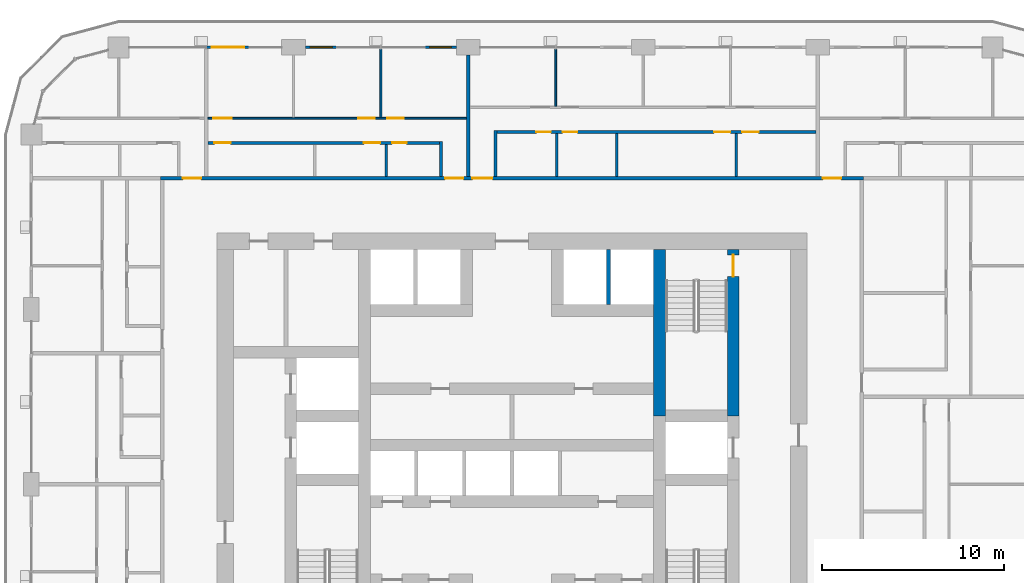
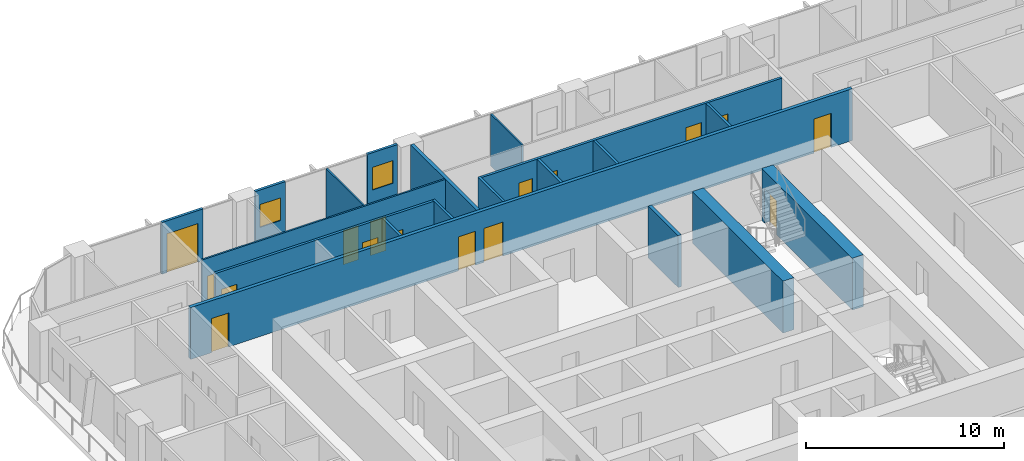
# One storey, part 14 of 22: 19 walls, 16 doors, 2 windows, 18 openings.
"""IFC4 building model written with IfcOpenShell, lengths in metres."""

from ifc_helpers import new_model, si_unit, direction, frame, frame_2d, origin, place, context, subcontext, project, spatial, rectangle, extrude, material, layer, layer_set, type_object, element, fill, save


model = new_model("IFC4")

# Units and contexts
model_context = context("Model", 3, precision=1e-05, world=origin(), true_north=direction((0.0, 1.0)))
body_context = subcontext(model_context, "Body", "Model", "MODEL_VIEW")
ifc_project = project(units=[si_unit("LENGTHUNIT", "METRE"), si_unit("AREAUNIT", "SQUARE_METRE"), si_unit("VOLUMEUNIT", "CUBIC_METRE"), si_unit("PLANEANGLEUNIT", "RADIAN"), si_unit("MASSUNIT", "GRAM", prefix="KILO")], contexts=[model_context])

# Site, building, storey
site_placement = place(None, origin())
site = spatial("IfcSite", under=ifc_project, at=site_placement, CompositionType="ELEMENT")
building_placement = place(site_placement, origin())
building = spatial("IfcBuilding", under=site, at=building_placement, Name="Madar Terraces", CompositionType="ELEMENT")
storey_placement = place(building_placement, frame((0.0, 0.0, 62.800048828125)))
storey = spatial("IfcBuildingStorey", under=building, at=storey_placement, Name="L15", CompositionType="ELEMENT", Elevation=62.800048828125)

# Wall
ifc_material_1 = material(Name="Concrete C80/95", Category="concrete")
ifc_layer_1 = layer(ifc_material_1, 0.64990234375)
ifc_layer_set_1 = layer_set([ifc_layer_1], Name="Concrete C80/95 (CIW2 RC wall 650)")
wall_type_1 = type_object("IfcWallType", Name="CIW2 RC wall 650", PredefinedType="SHEAR", material=ifc_layer_set_1)
wall_1_placement = place(storey_placement, frame((39.300048828125, 27.75, 0.0), z_axis=(0.0, 0.0, 1.0), x_axis=(0.0, 1.0, 0.0)))
element("IfcWall", 1, at=wall_1_placement, inside=storey, type_object=wall_type_1, Name="CORE SHAFT WALL", PredefinedType="SHEAR", context=body_context, shape_type="SweptSolid", body=[
    extrude(rectangle(XDim=9.14990234375, YDim=0.64990234375, at=frame_2d((4.574951171875, 0.0))), origin(), (0.0, 0.0, 1.0), 3.199951171875),
])

# Wall, opening, door
wall_2_placement = place(storey_placement, frame((43.35009765625, 27.75, 0.0), z_axis=(0.0, 0.0, 1.0), x_axis=(0.0, 1.0, 0.0)))
wall_2 = element("IfcWall", 2, at=wall_2_placement, inside=storey, type_object=wall_type_1, Name="CORE SHAFT WALL", PredefinedType="SHEAR", context=body_context, shape_type="SweptSolid", body=[
    extrude(rectangle(XDim=9.14990234375, YDim=0.64990234375, at=frame_2d((4.574951171875, 0.0))), origin(), (0.0, 0.0, 1.0), 3.199951171875),
])
opening_1_placement = place(wall_2_placement, frame((7.64990234375, 0.0, 0.0)))
opening_1 = element("IfcOpeningElement", 3, at=opening_1_placement, cuts=wall_2, Name="Opening SD1", PredefinedType="OPENING", context=body_context, shape_type="SweptSolid", body=[
    extrude(rectangle(XDim=1.199951171875, YDim=2.10009765625, at=frame_2d((0.60009765625, 1.050048828125))), frame((0.0, 0.3349609375, 0.0), z_axis=(0.0, -1.0, 0.0), x_axis=(1.0, 0.0, 0.0)), (0.0, 0.0, 1.0), 0.669921875),
])
ifc_material_2 = material(Name="Steel door leaf", Category="steel")
door_type_1 = type_object("IfcDoorType", Name="Stair door 1200 x 2100", OperationType="NOTDEFINED", PredefinedType="DOOR", material=ifc_material_2)
door_1_placement = place(opening_1_placement, origin())
door_1 = element("IfcDoor", 4, at=door_1_placement, inside=storey, type_object=door_type_1, Name="STAIR DOOR", OperationType="SINGLE_SWING_LEFT", OverallHeight=2.10009765625, OverallWidth=1.199951171875, PredefinedType="DOOR", context=body_context, shape_type="SweptSolid", body=[
    extrude(rectangle(XDim=1.199951171875, YDim=2.10009765625, at=frame_2d((0.60009765625, 1.050048828125))), frame((0.0, 0.02490234375, 0.0), z_axis=(0.0, -1.0, 0.0), x_axis=(1.0, 0.0, 0.0)), (0.0, 0.0, 1.0), 0.050048828125),
])
fill(opening_1, door_1)

# Wall
ifc_material_3 = material(Name="Concrete C40/50", Category="concrete")
ifc_layer_2 = layer(ifc_material_3, 0.199951171875)
ifc_layer_set_2 = layer_set([ifc_layer_2], Name="Core shaft dividing wall 200 C40/50")
wall_type_2 = type_object("IfcWallType", Name="Core shaft dividing wall 200 C40/50", PredefinedType="SOLIDWALL", material=ifc_layer_set_2)
wall_3_placement = place(storey_placement, frame((36.5, 33.875, 0.0), z_axis=(0.0, 0.0, 1.0), x_axis=(0.0, 1.0, 0.0)))
element("IfcWall", 5, at=wall_3_placement, inside=storey, type_object=wall_type_2, Name="SHAFT DIVIDING WALL", PredefinedType="SOLIDWALL", context=body_context, shape_type="SweptSolid", body=[
    extrude(rectangle(XDim=3.02490234375, YDim=0.199951171875, at=frame_2d((1.512451171875, 0.0))), origin(), (0.0, 0.0, 1.0), 3.199951171875),
])

# Wall, opening, window
ifc_material_4 = material(Name="Aluminium composite panel, black, over insulated backing", Category="aluminium")
ifc_layer_3 = layer(ifc_material_4, 0.14990234375)
ifc_layer_set_3 = layer_set([ifc_layer_3], Name="Facade bay panel 150")
wall_type_3 = type_object("IfcWallType", Name="Facade bay panel 150", PredefinedType="SOLIDWALL", material=ifc_layer_set_3)
wall_4_placement = place(storey_placement, frame((28.14990234375, 48.0, 0.0), z_axis=(0.0, 0.0, 1.0), x_axis=(-1.0, 0.0, 0.0)))
wall_4 = element("IfcWall", 6, at=wall_4_placement, inside=storey, type_object=wall_type_3, Name="Facade bay panel", PredefinedType="SOLIDWALL", context=body_context, shape_type="SweptSolid", body=[
    extrude(rectangle(XDim=1.75, YDim=0.14990234375, at=frame_2d((0.875, 0.0))), origin(), (0.0, 0.0, 1.0), 3.199951171875),
])
opening_2_placement = place(wall_4_placement, frame((0.27490234375, 0.0, 0.89990234375)))
opening_2 = element("IfcOpeningElement", 7, at=opening_2_placement, cuts=wall_4, Name="Opening W1", PredefinedType="OPENING", context=body_context, shape_type="SweptSolid", body=[
    extrude(rectangle(XDim=1.199951171875, YDim=1.39990234375, at=frame_2d((0.60009765625, 0.699951171875))), frame((0.0, 0.0849609375, 0.0), z_axis=(0.0, -1.0, 0.0), x_axis=(1.0, 0.0, 0.0)), (0.0, 0.0, 1.0), 0.169921875),
])
ifc_material_5 = material(Name="Glass, clear, with black aluminium frame", Category="aluminium")
window_type = type_object("IfcWindowType", Name="Vent window 1200 x 1400", PartitioningType="SINGLE_PANEL", PredefinedType="WINDOW", material=ifc_material_5)
window_1_placement = place(opening_2_placement, origin())
window_1 = element("IfcWindow", 8, at=window_1_placement, inside=storey, type_object=window_type, Name="Operable vent window", OverallHeight=1.39990234375, OverallWidth=1.199951171875, PartitioningType="SINGLE_PANEL", PredefinedType="WINDOW", context=body_context, shape_type="SweptSolid", body=[
    extrude(rectangle(XDim=1.199951171875, YDim=1.39990234375, at=frame_2d((0.60009765625, 0.699951171875))), frame((0.0, 0.030029296875, 0.0), z_axis=(0.0, -1.0, 0.0), x_axis=(1.0, 0.0, 0.0)), (0.0, 0.0, 1.0), 0.06005859375),
])
fill(opening_2, window_1)

wall_5_placement = place(storey_placement, frame((21.60009765625, 48.0, 0.0), z_axis=(0.0, 0.0, 1.0), x_axis=(-1.0, 0.0, 0.0)))
wall_5 = element("IfcWall", 9, at=wall_5_placement, inside=storey, type_object=wall_type_3, Name="Facade bay panel", PredefinedType="SOLIDWALL", context=body_context, shape_type="SweptSolid", body=[
    extrude(rectangle(XDim=1.75, YDim=0.14990234375, at=frame_2d((0.875, 0.0))), origin(), (0.0, 0.0, 1.0), 3.199951171875),
])
opening_3_placement = place(wall_5_placement, frame((0.27490234375, 0.0, 0.89990234375)))
opening_3 = element("IfcOpeningElement", 10, at=opening_3_placement, cuts=wall_5, Name="Opening W1", PredefinedType="OPENING", context=body_context, shape_type="SweptSolid", body=[
    extrude(rectangle(XDim=1.199951171875, YDim=1.39990234375, at=frame_2d((0.60009765625, 0.699951171875))), frame((0.0, 0.0849609375, 0.0), z_axis=(0.0, -1.0, 0.0), x_axis=(1.0, 0.0, 0.0)), (0.0, 0.0, 1.0), 0.169921875),
])
window_2_placement = place(opening_3_placement, origin())
window_2 = element("IfcWindow", 11, at=window_2_placement, inside=storey, type_object=window_type, Name="Operable vent window", OverallHeight=1.39990234375, OverallWidth=1.199951171875, PartitioningType="SINGLE_PANEL", PredefinedType="WINDOW", context=body_context, shape_type="SweptSolid", body=[
    extrude(rectangle(XDim=1.199951171875, YDim=1.39990234375, at=frame_2d((0.60009765625, 0.699951171875))), frame((0.0, 0.030029296875, 0.0), z_axis=(0.0, -1.0, 0.0), x_axis=(1.0, 0.0, 0.0)), (0.0, 0.0, 1.0), 0.06005859375),
])
fill(opening_3, window_2)

# Wall, opening, door
wall_6_placement = place(storey_placement, frame((16.800048828125, 48.0, 0.0), z_axis=(0.0, 0.0, 1.0), x_axis=(-1.0, 0.0, 0.0)))
wall_6 = element("IfcWall", 12, at=wall_6_placement, inside=storey, type_object=wall_type_3, Name="Facade bay panel", PredefinedType="SOLIDWALL", context=body_context, shape_type="SweptSolid", body=[
    extrude(rectangle(XDim=2.400146484375, YDim=0.14990234375, at=frame_2d((1.2001953125, 0.0))), origin(), (0.0, 0.0, 1.0), 3.199951171875),
])
opening_4_placement = place(wall_6_placement, frame((0.300048828125, 0.0, 0.0)))
opening_4 = element("IfcOpeningElement", 13, at=opening_4_placement, cuts=wall_6, Name="Opening ED1", PredefinedType="OPENING", context=body_context, shape_type="SweptSolid", body=[
    extrude(rectangle(XDim=1.800048828125, YDim=2.39990234375, at=frame_2d((0.89990234375, 1.199951171875))), frame((0.0, 0.0849609375, 0.0), z_axis=(0.0, -1.0, 0.0), x_axis=(1.0, 0.0, 0.0)), (0.0, 0.0, 1.0), 0.169921875),
])
ifc_material_6 = material(Name="Glass, clear, with black aluminium frame", Category="aluminium")
door_type_2 = type_object("IfcDoorType", Name="Balcony and terrace sliding door 1800 x 2400", OperationType="SLIDING_TO_LEFT", PredefinedType="DOOR", material=ifc_material_6)
door_2_placement = place(opening_4_placement, origin())
door_2 = element("IfcDoor", 14, at=door_2_placement, inside=storey, type_object=door_type_2, Name="Balcony door", OperationType="SLIDING_TO_LEFT", OverallHeight=2.39990234375, OverallWidth=1.800048828125, PredefinedType="DOOR", context=body_context, shape_type="SweptSolid", body=[
    extrude(rectangle(XDim=1.800048828125, YDim=2.39990234375, at=frame_2d((0.89990234375, 1.199951171875))), frame((0.0, 0.02490234375, 0.0), z_axis=(0.0, -1.0, 0.0), x_axis=(1.0, 0.0, 0.0)), (0.0, 0.0, 1.0), 0.050048828125),
])
fill(opening_4, door_2)

# Walls
ifc_material_7 = material(Name="Gypsum board on steel studs", Category="steel")
ifc_layer_4 = layer(ifc_material_7, 0.10009765625)
ifc_layer_set_4 = layer_set([ifc_layer_4], Name="Flat partition 100")
wall_type_4 = type_object("IfcWallType", Name="Flat partition 100", PredefinedType="PARTITIONING", material=ifc_layer_set_4)
wall_7_placement = place(storey_placement, frame((33.60009765625, 44.75, 0.0), z_axis=(0.0, 0.0, 1.0), x_axis=(0.0, 1.0, 0.0)))
element("IfcWall", 15, at=wall_7_placement, inside=storey, type_object=wall_type_4, Name="Flat partition 100", PredefinedType="PARTITIONING", context=body_context, shape_type="SweptSolid", body=[
    extrude(rectangle(XDim=3.14990234375, YDim=0.10009765625, at=frame_2d((1.574951171875, 0.0))), origin(), (0.0, 0.0, 1.0), 3.199951171875),
])
wall_8_placement = place(storey_placement, frame((24.0, 44.14990234375, 0.0), z_axis=(0.0, 0.0, 1.0), x_axis=(0.0, 1.0, 0.0)))
element("IfcWall", 16, at=wall_8_placement, inside=storey, type_object=wall_type_4, Name="Flat partition 100", PredefinedType="PARTITIONING", context=body_context, shape_type="SweptSolid", body=[
    extrude(rectangle(XDim=3.75, YDim=0.10009765625, at=frame_2d((1.875, 0.0))), origin(), (0.0, 0.0, 1.0), 3.199951171875),
])

# Wall, openings, doors
wall_9_placement = place(storey_placement, frame((14.5, 44.10009765625, 0.0), z_axis=(0.0, 0.0, 1.0), x_axis=(1.0, 0.0, 0.0)))
wall_9 = element("IfcWall", 17, at=wall_9_placement, inside=storey, type_object=wall_type_4, Name="Flat partition 100", PredefinedType="PARTITIONING", context=body_context, shape_type="SweptSolid", body=[
    extrude(rectangle(XDim=14.199951171875, YDim=0.10009765625, at=frame_2d((7.10009765625, 0.0))), origin(), (0.0, 0.0, 1.0), 3.199951171875),
])
opening_5_placement = place(wall_9_placement, frame((9.85009765625, 0.0, 0.0)))
opening_5 = element("IfcOpeningElement", 18, at=opening_5_placement, cuts=wall_9, Name="Opening D2", PredefinedType="OPENING", context=body_context, shape_type="SweptSolid", body=[
    extrude(rectangle(XDim=0.89990234375, YDim=2.10009765625, at=frame_2d((0.449951171875, 1.050048828125))), frame((0.0, 0.06005859375, 0.0), z_axis=(0.0, -1.0, 0.0), x_axis=(1.0, 0.0, 0.0)), (0.0, 0.0, 1.0), 0.1201171875),
])
opening_6_placement = place(wall_9_placement, frame((8.25, 0.0, 0.0)))
opening_6 = element("IfcOpeningElement", 19, at=opening_6_placement, cuts=wall_9, Name="Opening D2", PredefinedType="OPENING", context=body_context, shape_type="SweptSolid", body=[
    extrude(rectangle(XDim=0.89990234375, YDim=2.10009765625, at=frame_2d((0.449951171875, 1.050048828125))), frame((0.0, 0.06005859375, 0.0), z_axis=(0.0, -1.0, 0.0), x_axis=(1.0, 0.0, 0.0)), (0.0, 0.0, 1.0), 0.1201171875),
])
opening_7_placement = place(wall_9_placement, frame((0.300048828125, 0.0, 0.0)))
opening_7 = element("IfcOpeningElement", 20, at=opening_7_placement, cuts=wall_9, Name="Opening D3", PredefinedType="OPENING", context=body_context, shape_type="SweptSolid", body=[
    extrude(rectangle(XDim=1.0, YDim=2.10009765625, at=frame_2d((0.5, 1.050048828125))), frame((0.0, 0.06005859375, 0.0), z_axis=(0.0, -1.0, 0.0), x_axis=(1.0, 0.0, 0.0)), (0.0, 0.0, 1.0), 0.1201171875),
])
ifc_material_8 = material(Name="Timber door leaf", Category="wood")
door_type_3 = type_object("IfcDoorType", Name="Flat living room door 1000", OperationType="NOTDEFINED", PredefinedType="DOOR", material=ifc_material_8)
door_3_placement = place(opening_7_placement, origin())
door_3 = element("IfcDoor", 21, at=door_3_placement, inside=storey, type_object=door_type_3, Name="Flat living room door 1000", OperationType="SINGLE_SWING_LEFT", OverallHeight=2.10009765625, OverallWidth=1.0, PredefinedType="DOOR", context=body_context, shape_type="SweptSolid", body=[
    extrude(rectangle(XDim=1.0, YDim=2.10009765625, at=frame_2d((0.5, 1.050048828125))), frame((0.0, 0.02490234375, 0.0), z_axis=(0.0, -1.0, 0.0), x_axis=(1.0, 0.0, 0.0)), (0.0, 0.0, 1.0), 0.050048828125),
])
fill(opening_7, door_3)
ifc_material_9 = material(Name="Timber door leaf", Category="wood")
door_type_4 = type_object("IfcDoorType", Name="Flat room door 900", OperationType="NOTDEFINED", PredefinedType="DOOR", material=ifc_material_9)
door_4_placement = place(opening_5_placement, origin())
door_4 = element("IfcDoor", 22, at=door_4_placement, inside=storey, type_object=door_type_4, Name="Flat room door 900", OperationType="SINGLE_SWING_LEFT", OverallHeight=2.10009765625, OverallWidth=0.89990234375, PredefinedType="DOOR", context=body_context, shape_type="SweptSolid", body=[
    extrude(rectangle(XDim=0.89990234375, YDim=2.10009765625, at=frame_2d((0.449951171875, 1.050048828125))), frame((0.0, 0.02490234375, 0.0), z_axis=(0.0, -1.0, 0.0), x_axis=(1.0, 0.0, 0.0)), (0.0, 0.0, 1.0), 0.050048828125),
])
fill(opening_5, door_4)
door_5_placement = place(opening_6_placement, origin())
door_5 = element("IfcDoor", 23, at=door_5_placement, inside=storey, type_object=door_type_4, Name="Flat room door 900", OperationType="SINGLE_SWING_RIGHT", OverallHeight=2.10009765625, OverallWidth=0.89990234375, PredefinedType="DOOR", context=body_context, shape_type="SweptSolid", body=[
    extrude(rectangle(XDim=0.89990234375, YDim=2.10009765625, at=frame_2d((0.449951171875, 1.050048828125))), frame((0.0, 0.02490234375, 0.0), z_axis=(0.0, -1.0, 0.0), x_axis=(1.0, 0.0, 0.0)), (0.0, 0.0, 1.0), 0.050048828125),
])
fill(opening_6, door_5)

ifc_material_10 = material(Name="Lightweight blockwork", Category="masonry")
ifc_layer_5 = layer(ifc_material_10, 0.199951171875)
ifc_layer_set_5 = layer_set([ifc_layer_5], Name="Flat party and entrance wall 200")
wall_type_5 = type_object("IfcWallType", Name="Flat party and entrance wall 200", PredefinedType="PARTITIONING", material=ifc_layer_set_5)
wall_10_placement = place(storey_placement, frame((11.89990234375, 40.800048828125, 0.0), z_axis=(0.0, 0.0, 1.0), x_axis=(1.0, 0.0, 0.0)))
wall_10 = element("IfcWall", 24, at=wall_10_placement, inside=storey, type_object=wall_type_5, Name="Flat party and entrance wall 200", PredefinedType="PARTITIONING", context=body_context, shape_type="SweptSolid", body=[
    extrude(rectangle(XDim=38.60009765625, YDim=0.199951171875, at=frame_2d((19.300048828125, 0.0))), origin(), (0.0, 0.0, 1.0), 3.199951171875),
])
opening_8_placement = place(wall_10_placement, frame((36.375, 0.0, 0.0)))
opening_8 = element("IfcOpeningElement", 25, at=opening_8_placement, cuts=wall_10, Name="Opening D1", PredefinedType="OPENING", context=body_context, shape_type="SweptSolid", body=[
    extrude(rectangle(XDim=1.0, YDim=2.10009765625, at=frame_2d((0.5, 1.050048828125))), frame((0.0, 0.10986328125, 0.0), z_axis=(0.0, -1.0, 0.0), x_axis=(1.0, 0.0, 0.0)), (0.0, 0.0, 1.0), 0.219970703125),
])
opening_9_placement = place(wall_10_placement, frame((17.125, 0.0, 0.0)))
opening_9 = element("IfcOpeningElement", 26, at=opening_9_placement, cuts=wall_10, Name="Opening D6", PredefinedType="OPENING", context=body_context, shape_type="SweptSolid", body=[
    extrude(rectangle(XDim=1.10009765625, YDim=2.10009765625, at=frame_2d((0.550048828125, 1.050048828125))), frame((0.0, 0.10986328125, 0.0), z_axis=(0.0, -1.0, 0.0), x_axis=(1.0, 0.0, 0.0)), (0.0, 0.0, 1.0), 0.219970703125),
])
opening_10_placement = place(wall_10_placement, frame((15.625, 0.0, 0.0)))
opening_10 = element("IfcOpeningElement", 27, at=opening_10_placement, cuts=wall_10, Name="Opening D1", PredefinedType="OPENING", context=body_context, shape_type="SweptSolid", body=[
    extrude(rectangle(XDim=1.0, YDim=2.10009765625, at=frame_2d((0.5, 1.050048828125))), frame((0.0, 0.10986328125, 0.0), z_axis=(0.0, -1.0, 0.0), x_axis=(1.0, 0.0, 0.0)), (0.0, 0.0, 1.0), 0.219970703125),
])
opening_11_placement = place(wall_10_placement, frame((1.22509765625, 0.0, 0.0)))
opening_11 = element("IfcOpeningElement", 28, at=opening_11_placement, cuts=wall_10, Name="Opening D1", PredefinedType="OPENING", context=body_context, shape_type="SweptSolid", body=[
    extrude(rectangle(XDim=1.0, YDim=2.10009765625, at=frame_2d((0.5, 1.050048828125))), frame((0.0, 0.10986328125, 0.0), z_axis=(0.0, -1.0, 0.0), x_axis=(1.0, 0.0, 0.0)), (0.0, 0.0, 1.0), 0.219970703125),
])
ifc_material_11 = material(Name="Timber fire door leaf", Category="wood")
door_type_5 = type_object("IfcDoorType", Name="Flat entrance door 1000 FD30S", OperationType="NOTDEFINED", PredefinedType="DOOR", material=ifc_material_11)
door_6_placement = place(opening_8_placement, origin())
door_6 = element("IfcDoor", 29, at=door_6_placement, inside=storey, type_object=door_type_5, Name="Flat entrance door 1000 FD30S", OperationType="SINGLE_SWING_LEFT", OverallHeight=2.10009765625, OverallWidth=1.0, PredefinedType="DOOR", context=body_context, shape_type="SweptSolid", body=[
    extrude(rectangle(XDim=1.0, YDim=2.10009765625, at=frame_2d((0.5, 1.050048828125))), frame((0.0, 0.02490234375, 0.0), z_axis=(0.0, -1.0, 0.0), x_axis=(1.0, 0.0, 0.0)), (0.0, 0.0, 1.0), 0.050048828125),
])
fill(opening_8, door_6)
door_7_placement = place(opening_10_placement, origin())
door_7 = element("IfcDoor", 30, at=door_7_placement, inside=storey, type_object=door_type_5, Name="Flat entrance door 1000 FD30S", OperationType="SINGLE_SWING_RIGHT", OverallHeight=2.10009765625, OverallWidth=1.0, PredefinedType="DOOR", context=body_context, shape_type="SweptSolid", body=[
    extrude(rectangle(XDim=1.0, YDim=2.10009765625, at=frame_2d((0.5, 1.050048828125))), frame((0.0, 0.02490234375, 0.0), z_axis=(0.0, -1.0, 0.0), x_axis=(1.0, 0.0, 0.0)), (0.0, 0.0, 1.0), 0.050048828125),
])
fill(opening_10, door_7)
door_8_placement = place(opening_11_placement, origin())
door_8 = element("IfcDoor", 31, at=door_8_placement, inside=storey, type_object=door_type_5, Name="Flat entrance door 1000 FD30S", OperationType="SINGLE_SWING_RIGHT", OverallHeight=2.10009765625, OverallWidth=1.0, PredefinedType="DOOR", context=body_context, shape_type="SweptSolid", body=[
    extrude(rectangle(XDim=1.0, YDim=2.10009765625, at=frame_2d((0.5, 1.050048828125))), frame((0.0, 0.02490234375, 0.0), z_axis=(0.0, -1.0, 0.0), x_axis=(1.0, 0.0, 0.0)), (0.0, 0.0, 1.0), 0.050048828125),
])
fill(opening_11, door_8)
ifc_material_12 = material(Name="Timber fire door leaf", Category="wood")
door_type_6 = type_object("IfcDoorType", Name="Flat entrance door 1100 FD30S", OperationType="NOTDEFINED", PredefinedType="DOOR", material=ifc_material_12)
door_9_placement = place(opening_9_placement, origin())
door_9 = element("IfcDoor", 32, at=door_9_placement, inside=storey, type_object=door_type_6, Name="Flat entrance door 1100 FD30S", OperationType="SINGLE_SWING_LEFT", OverallHeight=2.10009765625, OverallWidth=1.10009765625, PredefinedType="DOOR", context=body_context, shape_type="SweptSolid", body=[
    extrude(rectangle(XDim=1.10009765625, YDim=2.10009765625, at=frame_2d((0.550048828125, 1.050048828125))), frame((0.0, 0.02490234375, 0.0), z_axis=(0.0, -1.0, 0.0), x_axis=(1.0, 0.0, 0.0)), (0.0, 0.0, 1.0), 0.050048828125),
])
fill(opening_9, door_9)

# Walls
wall_11_placement = place(storey_placement, frame((28.800048828125, 47.574951171875, 0.0), z_axis=(0.0, 0.0, 1.0), x_axis=(0.0, -1.0, 0.0)))
element("IfcWall", 33, at=wall_11_placement, inside=storey, type_object=wall_type_5, Name="Flat party and entrance wall 200", PredefinedType="PARTITIONING", context=body_context, shape_type="SweptSolid", body=[
    extrude(rectangle(XDim=6.675048828125, YDim=0.199951171875, at=frame_2d((3.33740234375, 0.0))), origin(), (0.0, 0.0, 1.0), 3.199951171875),
])
ifc_material_13 = material(Name="Lightweight blockwork", Category="masonry")
ifc_layer_6 = layer(ifc_material_13, 0.14990234375)
ifc_layer_set_6 = layer_set([ifc_layer_6], Name="Flat wet-room partition 150")
wall_type_6 = type_object("IfcWallType", Name="Flat wet-room partition 150", PredefinedType="PARTITIONING", material=ifc_layer_set_6)
for number, where, z_axis, x_axis, name in (
    (34, (33.660888671875, 40.89990234375, 0.0), (0.0, 0.0, 1.0), (0.0, 1.0, 0.0), "Flat wet-room partition 150"),
    (35, (36.94677734375, 40.89990234375, 0.0), (0.0, 0.0, 1.0), (0.0, 1.0, 0.0), "Flat wet-room partition 150"),
    (36, (43.518798828125, 40.89990234375, 0.0), (0.0, 0.0, 1.0), (0.0, 1.0, 0.0), "Flat wet-room partition 150"),
):
    element("IfcWall", number, at=place(storey_placement, frame(where, z_axis=z_axis, x_axis=x_axis)), inside=storey, type_object=wall_type_6, Name=name, PredefinedType="PARTITIONING", context=body_context, shape_type="SweptSolid", body=[
        extrude(rectangle(XDim=2.375, YDim=0.14990234375, at=frame_2d((1.1875, 0.0))), origin(), (0.0, 0.0, 1.0), 3.199951171875),
    ])
wall_12_placement = place(storey_placement, frame((30.300048828125, 40.89990234375, 0.0), z_axis=(0.0, 0.0, 1.0), x_axis=(0.0, 1.0, 0.0)))
element("IfcWall", 37, at=wall_12_placement, inside=storey, type_object=wall_type_6, Name="Flat wet-room partition 150", PredefinedType="PARTITIONING", context=body_context, shape_type="SweptSolid", body=[
    extrude(rectangle(XDim=2.525146484375, YDim=0.14990234375, at=frame_2d((1.2626953125, 0.0))), origin(), (0.0, 0.0, 1.0), 3.199951171875),
])

# Wall, openings, doors
wall_13_placement = place(storey_placement, frame((47.89990234375, 43.35009765625, 0.0), z_axis=(0.0, 0.0, 1.0), x_axis=(-1.0, 0.0, 0.0)))
wall_13 = element("IfcWall", 38, at=wall_13_placement, inside=storey, type_object=wall_type_6, Name="Flat wet-room partition 150", PredefinedType="PARTITIONING", context=body_context, shape_type="SweptSolid", body=[
    extrude(rectangle(XDim=17.52490234375, YDim=0.14990234375, at=frame_2d((8.762451171875, 0.0))), origin(), (0.0, 0.0, 1.0), 3.199951171875),
])
opening_12_placement = place(wall_13_placement, frame((14.564208984375, 0.0, 0.0)))
opening_12 = element("IfcOpeningElement", 39, at=opening_12_placement, cuts=wall_13, Name="Opening D4", PredefinedType="OPENING", context=body_context, shape_type="SweptSolid", body=[
    extrude(rectangle(XDim=0.800048828125, YDim=2.10009765625, at=frame_2d((0.39990234375, 1.050048828125))), frame((0.0, 0.0849609375, 0.0), z_axis=(0.0, -1.0, 0.0), x_axis=(1.0, 0.0, 0.0)), (0.0, 0.0, 1.0), 0.169921875),
])
opening_13_placement = place(wall_13_placement, frame((13.114013671875, 0.0, 0.0)))
opening_13 = element("IfcOpeningElement", 40, at=opening_13_placement, cuts=wall_13, Name="Opening D7", PredefinedType="OPENING", context=body_context, shape_type="SweptSolid", body=[
    extrude(rectangle(XDim=0.800048828125, YDim=2.10009765625, at=frame_2d((0.39990234375, 1.050048828125))), frame((0.0, 0.0849609375, 0.0), z_axis=(0.0, -1.0, 0.0), x_axis=(1.0, 0.0, 0.0)), (0.0, 0.0, 1.0), 0.169921875),
])
opening_14_placement = place(wall_13_placement, frame((4.706298828125, 0.0, 0.0)))
opening_14 = element("IfcOpeningElement", 41, at=opening_14_placement, cuts=wall_13, Name="Opening D2", PredefinedType="OPENING", context=body_context, shape_type="SweptSolid", body=[
    extrude(rectangle(XDim=0.89990234375, YDim=2.10009765625, at=frame_2d((0.449951171875, 1.050048828125))), frame((0.0, 0.0849609375, 0.0), z_axis=(0.0, -1.0, 0.0), x_axis=(1.0, 0.0, 0.0)), (0.0, 0.0, 1.0), 0.169921875),
])
opening_15_placement = place(wall_13_placement, frame((3.15625, 0.0, 0.0)))
opening_15 = element("IfcOpeningElement", 42, at=opening_15_placement, cuts=wall_13, Name="Opening D5", PredefinedType="OPENING", context=body_context, shape_type="SweptSolid", body=[
    extrude(rectangle(XDim=0.89990234375, YDim=2.10009765625, at=frame_2d((0.449951171875, 1.050048828125))), frame((0.0, 0.0849609375, 0.0), z_axis=(0.0, -1.0, 0.0), x_axis=(1.0, 0.0, 0.0)), (0.0, 0.0, 1.0), 0.169921875),
])
ifc_material_14 = material(Name="Timber door leaf", Category="wood")
door_type_7 = type_object("IfcDoorType", Name="Flat accessible bathroom door 900", OperationType="NOTDEFINED", PredefinedType="DOOR", material=ifc_material_14)
door_10_placement = place(opening_15_placement, origin())
door_10 = element("IfcDoor", 43, at=door_10_placement, inside=storey, type_object=door_type_7, Name="Flat accessible bathroom door 900", OperationType="SINGLE_SWING_RIGHT", OverallHeight=2.10009765625, OverallWidth=0.89990234375, PredefinedType="DOOR", context=body_context, shape_type="SweptSolid", body=[
    extrude(rectangle(XDim=0.89990234375, YDim=2.10009765625, at=frame_2d((0.449951171875, 1.050048828125))), frame((0.0, 0.02490234375, 0.0), z_axis=(0.0, -1.0, 0.0), x_axis=(1.0, 0.0, 0.0)), (0.0, 0.0, 1.0), 0.050048828125),
])
fill(opening_15, door_10)
ifc_material_15 = material(Name="Timber door leaf", Category="wood")
door_type_8 = type_object("IfcDoorType", Name="Flat bathroom door 800", OperationType="NOTDEFINED", PredefinedType="DOOR", material=ifc_material_15)
door_11_placement = place(opening_12_placement, origin())
door_11 = element("IfcDoor", 44, at=door_11_placement, inside=storey, type_object=door_type_8, Name="Flat bathroom door 800", OperationType="SINGLE_SWING_LEFT", OverallHeight=2.10009765625, OverallWidth=0.800048828125, PredefinedType="DOOR", context=body_context, shape_type="SweptSolid", body=[
    extrude(rectangle(XDim=0.800048828125, YDim=2.10009765625, at=frame_2d((0.39990234375, 1.050048828125))), frame((0.0, 0.02490234375, 0.0), z_axis=(0.0, -1.0, 0.0), x_axis=(1.0, 0.0, 0.0)), (0.0, 0.0, 1.0), 0.050048828125),
])
fill(opening_12, door_11)
door_12_placement = place(opening_14_placement, origin())
door_12 = element("IfcDoor", 45, at=door_12_placement, inside=storey, type_object=door_type_4, Name="Flat room door 900", OperationType="SINGLE_SWING_LEFT", OverallHeight=2.10009765625, OverallWidth=0.89990234375, PredefinedType="DOOR", context=body_context, shape_type="SweptSolid", body=[
    extrude(rectangle(XDim=0.89990234375, YDim=2.10009765625, at=frame_2d((0.449951171875, 1.050048828125))), frame((0.0, 0.02490234375, 0.0), z_axis=(0.0, -1.0, 0.0), x_axis=(1.0, 0.0, 0.0)), (0.0, 0.0, 1.0), 0.050048828125),
])
fill(opening_14, door_12)
ifc_material_16 = material(Name="Timber door leaf", Category="wood")
door_type_9 = type_object("IfcDoorType", Name="Flat utility door 800", OperationType="NOTDEFINED", PredefinedType="DOOR", material=ifc_material_16)
door_13_placement = place(opening_13_placement, origin())
door_13 = element("IfcDoor", 46, at=door_13_placement, inside=storey, type_object=door_type_9, Name="Flat utility door 800", OperationType="SINGLE_SWING_RIGHT", OverallHeight=2.10009765625, OverallWidth=0.800048828125, PredefinedType="DOOR", context=body_context, shape_type="SweptSolid", body=[
    extrude(rectangle(XDim=0.800048828125, YDim=2.10009765625, at=frame_2d((0.39990234375, 1.050048828125))), frame((0.0, 0.02490234375, 0.0), z_axis=(0.0, -1.0, 0.0), x_axis=(1.0, 0.0, 0.0)), (0.0, 0.0, 1.0), 0.050048828125),
])
fill(opening_13, door_13)

# Walls
wall_14_placement = place(storey_placement, frame((24.28857421875, 40.89990234375, 0.0), z_axis=(0.0, 0.0, 1.0), x_axis=(0.0, 1.0, 0.0)))
element("IfcWall", 47, at=wall_14_placement, inside=storey, type_object=wall_type_6, Name="Flat wet-room partition 150", PredefinedType="PARTITIONING", context=body_context, shape_type="SweptSolid", body=[
    extrude(rectangle(XDim=1.775146484375, YDim=0.14990234375, at=frame_2d((0.8876953125, 0.0))), origin(), (0.0, 0.0, 1.0), 3.199951171875),
])
wall_15_placement = place(storey_placement, frame((27.300048828125, 40.89990234375, 0.0), z_axis=(0.0, 0.0, 1.0), x_axis=(0.0, 1.0, 0.0)))
element("IfcWall", 48, at=wall_15_placement, inside=storey, type_object=wall_type_6, Name="Flat wet-room partition 150", PredefinedType="PARTITIONING", context=body_context, shape_type="SweptSolid", body=[
    extrude(rectangle(XDim=1.925048828125, YDim=0.14990234375, at=frame_2d((0.96240234375, 0.0))), origin(), (0.0, 0.0, 1.0), 3.199951171875),
])

# Wall, openings, doors
wall_16_placement = place(storey_placement, frame((27.22509765625, 42.75, 0.0), z_axis=(0.0, 0.0, 1.0), x_axis=(-1.0, 0.0, 0.0)))
wall_16 = element("IfcWall", 49, at=wall_16_placement, inside=storey, type_object=wall_type_6, Name="Flat wet-room partition 150", PredefinedType="PARTITIONING", context=body_context, shape_type="SweptSolid", body=[
    extrude(rectangle(XDim=12.72509765625, YDim=0.14990234375, at=frame_2d((6.362548828125, 0.0))), origin(), (0.0, 0.0, 1.0), 3.199951171875),
])
opening_16_placement = place(wall_16_placement, frame((1.8115234375, 0.0, 0.0)))
opening_16 = element("IfcOpeningElement", 50, at=opening_16_placement, cuts=wall_16, Name="Opening D4", PredefinedType="OPENING", context=body_context, shape_type="SweptSolid", body=[
    extrude(rectangle(XDim=0.800048828125, YDim=2.10009765625, at=frame_2d((0.39990234375, 1.050048828125))), frame((0.0, 0.0849609375, 0.0), z_axis=(0.0, -1.0, 0.0), x_axis=(1.0, 0.0, 0.0)), (0.0, 0.0, 1.0), 0.169921875),
])
opening_17_placement = place(wall_16_placement, frame((3.261474609375, 0.0, 0.0)))
opening_17 = element("IfcOpeningElement", 51, at=opening_17_placement, cuts=wall_16, Name="Opening D5", PredefinedType="OPENING", context=body_context, shape_type="SweptSolid", body=[
    extrude(rectangle(XDim=0.89990234375, YDim=2.10009765625, at=frame_2d((0.449951171875, 1.050048828125))), frame((0.0, 0.0849609375, 0.0), z_axis=(0.0, -1.0, 0.0), x_axis=(1.0, 0.0, 0.0)), (0.0, 0.0, 1.0), 0.169921875),
])
opening_18_placement = place(wall_16_placement, frame((11.47509765625, 0.0, 0.0)))
opening_18 = element("IfcOpeningElement", 52, at=opening_18_placement, cuts=wall_16, Name="Opening D2", PredefinedType="OPENING", context=body_context, shape_type="SweptSolid", body=[
    extrude(rectangle(XDim=0.89990234375, YDim=2.10009765625, at=frame_2d((0.449951171875, 1.050048828125))), frame((0.0, 0.0849609375, 0.0), z_axis=(0.0, -1.0, 0.0), x_axis=(1.0, 0.0, 0.0)), (0.0, 0.0, 1.0), 0.169921875),
])
door_14_placement = place(opening_17_placement, origin())
door_14 = element("IfcDoor", 53, at=door_14_placement, inside=storey, type_object=door_type_7, Name="Flat accessible bathroom door 900", OperationType="SINGLE_SWING_LEFT", OverallHeight=2.10009765625, OverallWidth=0.89990234375, PredefinedType="DOOR", context=body_context, shape_type="SweptSolid", body=[
    extrude(rectangle(XDim=0.89990234375, YDim=2.10009765625, at=frame_2d((0.449951171875, 1.050048828125))), frame((0.0, 0.02490234375, 0.0), z_axis=(0.0, -1.0, 0.0), x_axis=(1.0, 0.0, 0.0)), (0.0, 0.0, 1.0), 0.050048828125),
])
fill(opening_17, door_14)
door_15_placement = place(opening_16_placement, origin())
door_15 = element("IfcDoor", 54, at=door_15_placement, inside=storey, type_object=door_type_8, Name="Flat bathroom door 800", OperationType="SINGLE_SWING_RIGHT", OverallHeight=2.10009765625, OverallWidth=0.800048828125, PredefinedType="DOOR", context=body_context, shape_type="SweptSolid", body=[
    extrude(rectangle(XDim=0.800048828125, YDim=2.10009765625, at=frame_2d((0.39990234375, 1.050048828125))), frame((0.0, 0.02490234375, 0.0), z_axis=(0.0, -1.0, 0.0), x_axis=(1.0, 0.0, 0.0)), (0.0, 0.0, 1.0), 0.050048828125),
])
fill(opening_16, door_15)
door_16_placement = place(opening_18_placement, origin())
door_16 = element("IfcDoor", 55, at=door_16_placement, inside=storey, type_object=door_type_4, Name="Flat room door 900", OperationType="SINGLE_SWING_RIGHT", OverallHeight=2.10009765625, OverallWidth=0.89990234375, PredefinedType="DOOR", context=body_context, shape_type="SweptSolid", body=[
    extrude(rectangle(XDim=0.89990234375, YDim=2.10009765625, at=frame_2d((0.449951171875, 1.050048828125))), frame((0.0, 0.02490234375, 0.0), z_axis=(0.0, -1.0, 0.0), x_axis=(1.0, 0.0, 0.0)), (0.0, 0.0, 1.0), 0.050048828125),
])
fill(opening_18, door_16)

save(model, "model.ifc")
